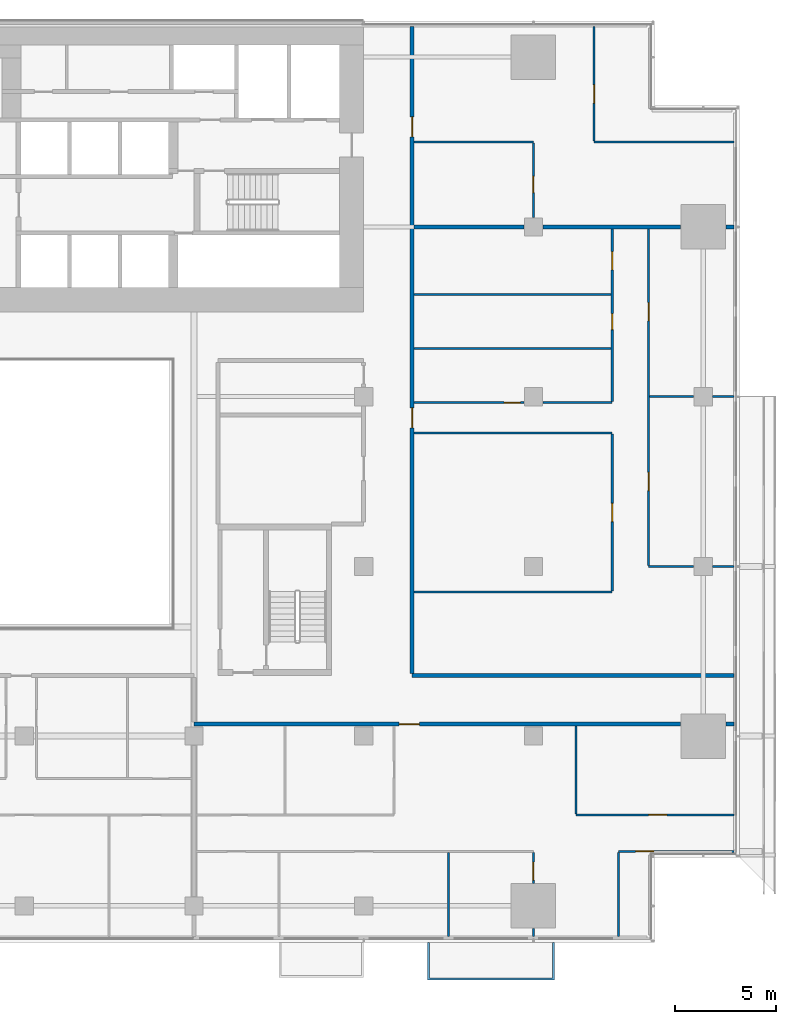
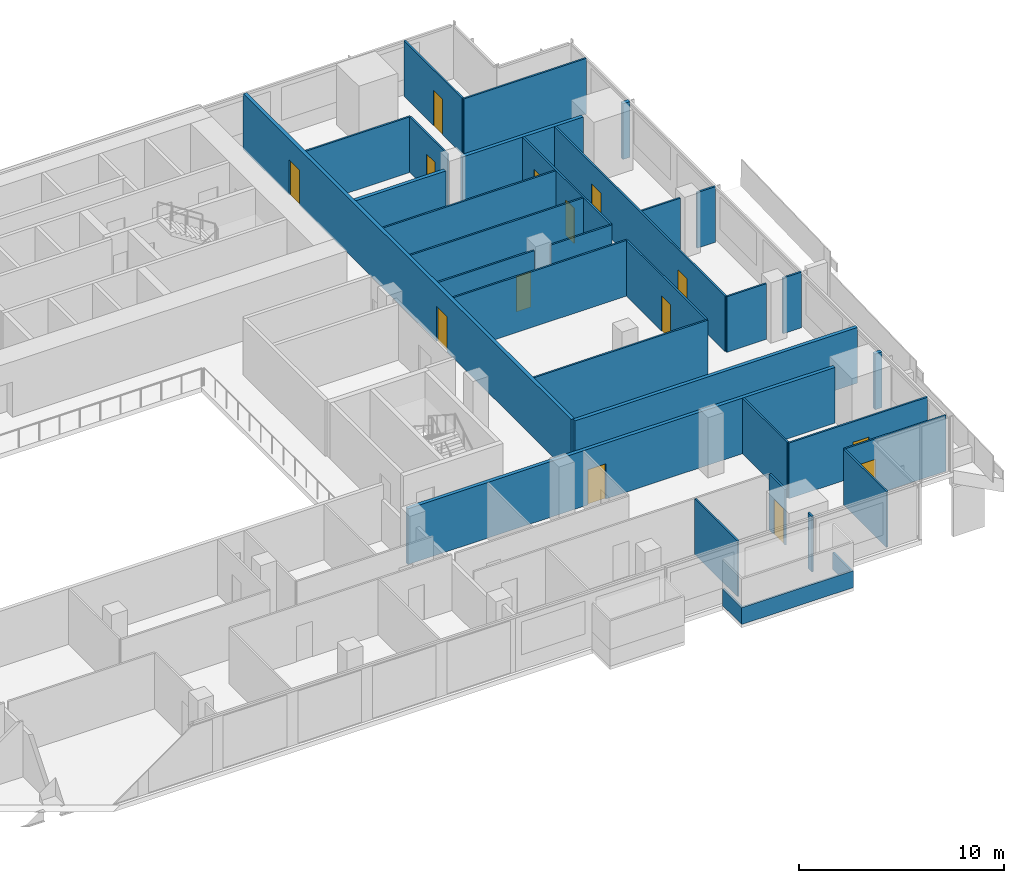
# One storey, part 24 of 28: 32 walls, 14 doors, 14 openings.
"""IFC4 building model written with IfcOpenShell, lengths in metres."""

from ifc_helpers import new_model, si_unit, direction, frame, frame_2d, origin, place, context, subcontext, project, spatial, polyline, rectangle, outline, extrude, material, layer, layer_set, type_object, element, fill, save


model = new_model("IFC4")

# Units and contexts
model_context = context("Model", 3, precision=1e-05, world=origin(), true_north=direction((0.0, 1.0)))
body_context = subcontext(model_context, "Body", "Model", "MODEL_VIEW")
ifc_project = project(units=[si_unit("LENGTHUNIT", "METRE"), si_unit("AREAUNIT", "SQUARE_METRE"), si_unit("VOLUMEUNIT", "CUBIC_METRE"), si_unit("PLANEANGLEUNIT", "RADIAN"), si_unit("MASSUNIT", "GRAM", prefix="KILO")], contexts=[model_context])

# Site, building, storey
site_placement = place(None, origin())
site = spatial("IfcSite", under=ifc_project, at=site_placement, CompositionType="ELEMENT")
building_placement = place(site_placement, origin())
building = spatial("IfcBuilding", under=site, at=building_placement, Name="Saffron Gate Tower", CompositionType="ELEMENT")
storey_placement = place(building_placement, frame((0.0, 0.0, 51.60009765625)))
storey = spatial("IfcBuildingStorey", under=building, at=storey_placement, Name="L11", CompositionType="ELEMENT", Elevation=51.60009765625)

# Wall, opening, door
ifc_material_1 = material(Name="Plasterboard on steel studs", Category="steel")
ifc_layer_1 = layer(ifc_material_1, 0.10009765625)
ifc_layer_set_1 = layer_set([ifc_layer_1], Name="PW1 Partition 100")
wall_type_1 = type_object("IfcWallType", Name="PW1 Partition 100", PredefinedType="PARTITIONING", material=ifc_layer_set_1)
wall_1_placement = place(storey_placement, frame((126.919921875, 34.5, 0.0), z_axis=(0.0, 0.0, 1.0), x_axis=(-1.0, 0.0, 0.0)))
wall_1 = element("IfcWall", 1, at=wall_1_placement, inside=storey, type_object=wall_type_1, Name="Partition A2-4", PredefinedType="PARTITIONING", context=body_context, shape_type="SweptSolid", body=[
    extrude(rectangle(XDim=5.719970703125, YDim=0.10009765625, at=frame_2d((2.85986328125, 0.0))), origin(), (0.0, 0.0, 1.0), 3.31982421875),
])
opening_1_placement = place(wall_1_placement, frame((3.96630859375, 0.0, 0.0)))
opening_1 = element("IfcOpeningElement", 2, at=opening_1_placement, cuts=wall_1, Name="Opening A2-19", PredefinedType="OPENING", context=body_context, shape_type="SweptSolid", body=[
    extrude(rectangle(XDim=0.89990234375, YDim=2.10009765625, at=frame_2d((0.449951171875, 1.050048828125))), frame((0.0, 0.06005859375, 0.0), z_axis=(0.0, -1.0, 0.0), x_axis=(1.0, 0.0, 0.0)), (0.0, 0.0, 1.0), 0.1201171875),
])
ifc_material_2 = material(Name="Timber door set", Category="wood")
door_type_1 = type_object("IfcDoorType", Name="RD1 Room door 900x2100", OperationType="NOTDEFINED", PredefinedType="DOOR", material=ifc_material_2)
door_1_placement = place(opening_1_placement, origin())
door_1 = element("IfcDoor", 3, at=door_1_placement, inside=storey, type_object=door_type_1, Name="Door A2-19", OperationType="SINGLE_SWING_RIGHT", OverallHeight=2.10009765625, OverallWidth=0.89990234375, PredefinedType="DOOR", context=body_context, shape_type="SweptSolid", body=[
    extrude(rectangle(XDim=0.89990234375, YDim=2.10009765625, at=frame_2d((0.449951171875, 1.050048828125))), frame((0.0, 0.02490234375, 0.0), z_axis=(0.0, -1.0, 0.0), x_axis=(1.0, 0.0, 0.0)), (0.0, 0.0, 1.0), 0.050048828125),
])
fill(opening_1, door_1)

wall_2_placement = place(storey_placement, frame((119.10009765625, 36.300048828125, 0.0), z_axis=(0.0, 0.0, 1.0), x_axis=(1.0, 0.0, 0.0)))
wall_2 = element("IfcWall", 4, at=wall_2_placement, inside=storey, type_object=wall_type_1, Name="Partition A2-6", PredefinedType="PARTITIONING", context=body_context, shape_type="SweptSolid", body=[
    extrude(rectangle(XDim=7.81982421875, YDim=0.10009765625, at=frame_2d((3.909912109375, 0.0))), origin(), (0.0, 0.0, 1.0), 3.31982421875),
])
opening_2_placement = place(wall_2_placement, frame((3.60009765625, 0.0, 0.0)))
opening_2 = element("IfcOpeningElement", 5, at=opening_2_placement, cuts=wall_2, Name="Opening A2-20", PredefinedType="OPENING", context=body_context, shape_type="SweptSolid", body=[
    extrude(rectangle(XDim=0.89990234375, YDim=2.10009765625, at=frame_2d((0.449951171875, 1.050048828125))), frame((0.0, 0.06005859375, 0.0), z_axis=(0.0, -1.0, 0.0), x_axis=(1.0, 0.0, 0.0)), (0.0, 0.0, 1.0), 0.1201171875),
])
door_2_placement = place(opening_2_placement, origin())
door_2 = element("IfcDoor", 6, at=door_2_placement, inside=storey, type_object=door_type_1, Name="Door A2-20", OperationType="SINGLE_SWING_RIGHT", OverallHeight=2.10009765625, OverallWidth=0.89990234375, PredefinedType="DOOR", context=body_context, shape_type="SweptSolid", body=[
    extrude(rectangle(XDim=0.89990234375, YDim=2.10009765625, at=frame_2d((0.449951171875, 1.050048828125))), frame((0.0, 0.02490234375, 0.0), z_axis=(0.0, -1.0, 0.0), x_axis=(1.0, 0.0, 0.0)), (0.0, 0.0, 1.0), 0.050048828125),
])
fill(opening_2, door_2)

# Walls
wall_3_placement = place(storey_placement, frame((111.10009765625, 47.34130859375, 0.0), z_axis=(0.0, 0.0, 1.0), x_axis=(1.0, 0.0, 0.0)))
element("IfcWall", 7, at=wall_3_placement, inside=storey, type_object=wall_type_1, Name="Partition A2-16", PredefinedType="PARTITIONING", context=body_context, shape_type="SweptSolid", body=[
    extrude(rectangle(XDim=9.7998046875, YDim=0.10009765625, at=frame_2d((4.89990234375, 0.0))), origin(), (0.0, 0.0, 1.0), 3.31982421875),
])
wall_4_placement = place(storey_placement, frame((122.699951171875, 48.60009765625, 0.0), z_axis=(0.0, 0.0, 1.0), x_axis=(1.0, 0.0, 0.0)))
element("IfcWall", 8, at=wall_4_placement, inside=storey, type_object=wall_type_1, Name="Partition A2-19", PredefinedType="PARTITIONING", context=body_context, shape_type="SweptSolid", body=[
    extrude(rectangle(XDim=2.22998046875, YDim=0.10009765625, at=frame_2d((1.114990234375, 0.0))), origin(), (0.0, 0.0, 1.0), 3.31982421875),
])
wall_5_placement = place(storey_placement, frame((125.8701171875, 48.60009765625, 0.0), z_axis=(0.0, 0.0, 1.0), x_axis=(1.0, 0.0, 0.0)))
element("IfcWall", 9, at=wall_5_placement, inside=storey, type_object=wall_type_1, Name="Partition A2-20", PredefinedType="PARTITIONING", context=body_context, shape_type="SweptSolid", body=[
    extrude(rectangle(XDim=1.0498046875, YDim=0.10009765625, at=frame_2d((0.52490234375, 0.0))), origin(), (0.0, 0.0, 1.0), 3.31982421875),
])
wall_6_placement = place(storey_placement, frame((111.10009765625, 55.199951171875, 0.0), z_axis=(0.0, 0.0, 1.0), x_axis=(1.0, 0.0, 0.0)))
element("IfcWall", 10, at=wall_6_placement, inside=storey, type_object=wall_type_1, Name="Partition A2-27", PredefinedType="PARTITIONING", context=body_context, shape_type="SweptSolid", body=[
    extrude(rectangle(XDim=9.7998046875, YDim=0.10009765625, at=frame_2d((4.89990234375, 0.0))), origin(), (0.0, 0.0, 1.0), 3.31982421875),
])

# Wall, opening, door
wall_7_placement = place(storey_placement, frame((111.10009765625, 56.699951171875, 0.0), z_axis=(0.0, 0.0, 1.0), x_axis=(1.0, 0.0, 0.0)))
wall_7 = element("IfcWall", 11, at=wall_7_placement, inside=storey, type_object=wall_type_1, Name="Partition A2-30", PredefinedType="PARTITIONING", context=body_context, shape_type="SweptSolid", body=[
    extrude(rectangle(XDim=5.429931640625, YDim=0.10009765625, at=frame_2d((2.71484375, 0.0))), origin(), (0.0, 0.0, 1.0), 3.31982421875),
])
opening_3_placement = place(wall_7_placement, frame((4.449951171875, 0.0, 0.0)))
opening_3 = element("IfcOpeningElement", 12, at=opening_3_placement, cuts=wall_7, Name="Opening A2-42", PredefinedType="OPENING", context=body_context, shape_type="SweptSolid", body=[
    extrude(rectangle(XDim=0.800048828125, YDim=2.10009765625, at=frame_2d((0.39990234375, 1.050048828125))), frame((0.0, 0.06005859375, 0.0), z_axis=(0.0, -1.0, 0.0), x_axis=(1.0, 0.0, 0.0)), (0.0, 0.0, 1.0), 0.1201171875),
])
door_type_2 = type_object("IfcDoorType", Name="RD2 Bathroom door 800x2100", OperationType="NOTDEFINED", PredefinedType="DOOR", material=ifc_material_2)
door_3_placement = place(opening_3_placement, origin())
door_3 = element("IfcDoor", 13, at=door_3_placement, inside=storey, type_object=door_type_2, Name="Door A2-42", OperationType="SINGLE_SWING_RIGHT", OverallHeight=2.10009765625, OverallWidth=0.800048828125, PredefinedType="DOOR", context=body_context, shape_type="SweptSolid", body=[
    extrude(rectangle(XDim=0.800048828125, YDim=2.10009765625, at=frame_2d((0.39990234375, 1.050048828125))), frame((0.0, 0.02490234375, 0.0), z_axis=(0.0, -1.0, 0.0), x_axis=(1.0, 0.0, 0.0)), (0.0, 0.0, 1.0), 0.050048828125),
])
fill(opening_3, door_3)

# Walls
wall_8_placement = place(storey_placement, frame((117.469970703125, 56.699951171875, 0.0), z_axis=(0.0, 0.0, 1.0), x_axis=(1.0, 0.0, 0.0)))
element("IfcWall", 14, at=wall_8_placement, inside=storey, type_object=wall_type_1, Name="Partition A2-31", PredefinedType="PARTITIONING", context=body_context, shape_type="SweptSolid", body=[
    extrude(rectangle(XDim=3.429931640625, YDim=0.10009765625, at=frame_2d((1.71484375, 0.0))), origin(), (0.0, 0.0, 1.0), 3.31982421875),
])
wall_9_placement = place(storey_placement, frame((122.75, 57.0, 0.0), z_axis=(0.0, 0.0, 1.0), x_axis=(1.0, 0.0, 0.0)))
element("IfcWall", 15, at=wall_9_placement, inside=storey, type_object=wall_type_1, Name="Partition A2-35", PredefinedType="PARTITIONING", context=body_context, shape_type="SweptSolid", body=[
    extrude(rectangle(XDim=2.179931640625, YDim=0.10009765625, at=frame_2d((1.08984375, 0.0))), origin(), (0.0, 0.0, 1.0), 3.31982421875),
])
wall_10_placement = place(storey_placement, frame((125.8701171875, 57.0, 0.0), z_axis=(0.0, 0.0, 1.0), x_axis=(1.0, 0.0, 0.0)))
element("IfcWall", 16, at=wall_10_placement, inside=storey, type_object=wall_type_1, Name="Partition A2-36", PredefinedType="PARTITIONING", context=body_context, shape_type="SweptSolid", body=[
    extrude(rectangle(XDim=1.0498046875, YDim=0.10009765625, at=frame_2d((0.52490234375, 0.0))), origin(), (0.0, 0.0, 1.0), 3.31982421875),
])
for number, where, z_axis, x_axis, name in (
    (17, (111.10009765625, 59.376708984375, 0.0), (0.0, 0.0, 1.0), (1.0, 0.0, 0.0), "Partition A2-39"),
    (18, (111.10009765625, 62.053466796875, 0.0), (0.0, 0.0, 1.0), (1.0, 0.0, 0.0), "Partition A2-41"),
):
    element("IfcWall", number, at=place(storey_placement, frame(where, z_axis=z_axis, x_axis=x_axis)), inside=storey, type_object=wall_type_1, Name=name, PredefinedType="PARTITIONING", context=body_context, shape_type="SweptSolid", body=[
        extrude(rectangle(XDim=9.75, YDim=0.10009765625, at=frame_2d((4.875, 0.0))), origin(), (0.0, 0.0, 1.0), 3.31982421875),
    ])
wall_11_placement = place(storey_placement, frame((111.10009765625, 69.60009765625, 0.0), z_axis=(0.0, 0.0, 1.0), x_axis=(1.0, 0.0, 0.0)))
element("IfcWall", 19, at=wall_11_placement, inside=storey, type_object=wall_type_1, Name="Partition A2-49", PredefinedType="PARTITIONING", context=body_context, shape_type="SweptSolid", body=[
    extrude(rectangle(XDim=5.89990234375, YDim=0.10009765625, at=frame_2d((2.949951171875, 0.0))), origin(), (0.0, 0.0, 1.0), 3.31982421875),
])
wall_12_placement = place(storey_placement, frame((120.0, 69.60009765625, 0.0), z_axis=(0.0, 0.0, 1.0), x_axis=(1.0, 0.0, 0.0)))
element("IfcWall", 20, at=wall_12_placement, inside=storey, type_object=wall_type_1, Name="Partition A2-50", PredefinedType="PARTITIONING", context=body_context, shape_type="SweptSolid", body=[
    extrude(rectangle(XDim=6.919921875, YDim=0.10009765625, at=frame_2d((3.4599609375, 0.0))), origin(), (0.0, 0.0, 1.0), 3.31982421875),
])
wall_13_placement = place(storey_placement, frame((112.800048828125, 34.449951171875, 0.0), z_axis=(0.0, 0.0, 1.0), x_axis=(0.0, -1.0, 0.0)))
element("IfcWall", 21, at=wall_13_placement, inside=storey, type_object=wall_type_1, Name="Partition A2-89", PredefinedType="PARTITIONING", context=body_context, shape_type="SweptSolid", body=[
    extrude(rectangle(XDim=4.169921875, YDim=0.10009765625, at=frame_2d((2.0849609375, 0.0))), origin(), (0.0, 0.0, 1.0), 3.31982421875),
])
wall_14_placement = place(storey_placement, frame((117.0, 30.679931640625, 0.0), z_axis=(0.0, 0.0, 1.0), x_axis=(0.0, -1.0, 0.0)))
element("IfcWall", 22, at=wall_14_placement, inside=storey, type_object=wall_type_1, Name="Partition A2-90", PredefinedType="PARTITIONING", context=body_context, shape_type="SweptSolid", body=[
    extrude(rectangle(XDim=0.39990234375, YDim=0.10009765625, at=frame_2d((0.199951171875, 0.0))), origin(), (0.0, 0.0, 1.0), 3.31982421875),
])

# Wall, opening, door
wall_15_placement = place(storey_placement, frame((117.0, 32.919921875, 0.0), z_axis=(0.0, 0.0, 1.0), x_axis=(0.0, 1.0, 0.0)))
wall_15 = element("IfcWall", 23, at=wall_15_placement, inside=storey, type_object=wall_type_1, Name="Partition A2-91", PredefinedType="PARTITIONING", context=body_context, shape_type="SweptSolid", body=[
    extrude(rectangle(XDim=1.530029296875, YDim=0.10009765625, at=frame_2d((0.76513671875, 0.0))), origin(), (0.0, 0.0, 1.0), 3.31982421875),
])
opening_4_placement = place(wall_15_placement, frame((0.14990234375, 0.0, 0.0)))
opening_4 = element("IfcOpeningElement", 24, at=opening_4_placement, cuts=wall_15, Name="Opening A2-18", PredefinedType="OPENING", context=body_context, shape_type="SweptSolid", body=[
    extrude(rectangle(XDim=0.89990234375, YDim=2.10009765625, at=frame_2d((0.449951171875, 1.050048828125))), frame((0.0, 0.06005859375, 0.0), z_axis=(0.0, -1.0, 0.0), x_axis=(1.0, 0.0, 0.0)), (0.0, 0.0, 1.0), 0.1201171875),
])
door_4_placement = place(opening_4_placement, origin())
door_4 = element("IfcDoor", 25, at=door_4_placement, inside=storey, type_object=door_type_1, Name="Door A2-18", OperationType="SINGLE_SWING_LEFT", OverallHeight=2.10009765625, OverallWidth=0.89990234375, PredefinedType="DOOR", context=body_context, shape_type="SweptSolid", body=[
    extrude(rectangle(XDim=0.89990234375, YDim=2.10009765625, at=frame_2d((0.449951171875, 1.050048828125))), frame((0.0, 0.02490234375, 0.0), z_axis=(0.0, -1.0, 0.0), x_axis=(1.0, 0.0, 0.0)), (0.0, 0.0, 1.0), 0.050048828125),
])
fill(opening_4, door_4)

wall_16_placement = place(storey_placement, frame((117.0, 65.8701171875, 0.0), z_axis=(0.0, 0.0, 1.0), x_axis=(0.0, 1.0, 0.0)))
wall_16 = element("IfcWall", 26, at=wall_16_placement, inside=storey, type_object=wall_type_1, Name="Partition A2-92", PredefinedType="PARTITIONING", context=body_context, shape_type="SweptSolid", body=[
    extrude(rectangle(XDim=3.679931640625, YDim=0.10009765625, at=frame_2d((1.83984375, 0.0))), origin(), (0.0, 0.0, 1.0), 3.31982421875),
])
opening_5_placement = place(wall_16_placement, frame((1.22998046875, 0.0, 0.0)))
opening_5 = element("IfcOpeningElement", 27, at=opening_5_placement, cuts=wall_16, Name="Opening A2-44", PredefinedType="OPENING", context=body_context, shape_type="SweptSolid", body=[
    extrude(rectangle(XDim=0.800048828125, YDim=2.10009765625, at=frame_2d((0.39990234375, 1.050048828125))), frame((0.0, 0.06005859375, 0.0), z_axis=(0.0, -1.0, 0.0), x_axis=(1.0, 0.0, 0.0)), (0.0, 0.0, 1.0), 0.1201171875),
])
door_5_placement = place(opening_5_placement, origin())
door_5 = element("IfcDoor", 28, at=door_5_placement, inside=storey, type_object=door_type_2, Name="Door A2-44", OperationType="SINGLE_SWING_LEFT", OverallHeight=2.10009765625, OverallWidth=0.800048828125, PredefinedType="DOOR", context=body_context, shape_type="SweptSolid", body=[
    extrude(rectangle(XDim=0.800048828125, YDim=2.10009765625, at=frame_2d((0.39990234375, 1.050048828125))), frame((0.0, 0.02490234375, 0.0), z_axis=(0.0, -1.0, 0.0), x_axis=(1.0, 0.0, 0.0)), (0.0, 0.0, 1.0), 0.050048828125),
])
fill(opening_5, door_5)

# Wall
wall_17_placement = place(storey_placement, frame((119.10009765625, 40.699951171875, 0.0), z_axis=(0.0, 0.0, 1.0), x_axis=(0.0, -1.0, 0.0)))
element("IfcWall", 29, at=wall_17_placement, inside=storey, type_object=wall_type_1, Name="Partition A2-93", PredefinedType="PARTITIONING", context=body_context, shape_type="SweptSolid", body=[
    extrude(rectangle(XDim=4.349853515625, YDim=0.10009765625, at=frame_2d((2.1748046875, 0.0))), origin(), (0.0, 0.0, 1.0), 3.31982421875),
])

# Wall, opening, door
wall_18_placement = place(storey_placement, frame((120.0, 75.320068359375, 0.0), z_axis=(0.0, 0.0, 1.0), x_axis=(0.0, -1.0, 0.0)))
wall_18 = element("IfcWall", 30, at=wall_18_placement, inside=storey, type_object=wall_type_1, Name="Partition A2-94", PredefinedType="PARTITIONING", context=body_context, shape_type="SweptSolid", body=[
    extrude(rectangle(XDim=5.670166015625, YDim=0.10009765625, at=frame_2d((2.8349609375, 0.0))), origin(), (0.0, 0.0, 1.0), 3.31982421875),
])
opening_6_placement = place(wall_18_placement, frame((2.89111328125, 0.0, 0.0)))
opening_6 = element("IfcOpeningElement", 31, at=opening_6_placement, cuts=wall_18, Name="Opening A2-31", PredefinedType="OPENING", context=body_context, shape_type="SweptSolid", body=[
    extrude(rectangle(XDim=0.89990234375, YDim=2.10009765625, at=frame_2d((0.449951171875, 1.050048828125))), frame((0.0, 0.06005859375, 0.0), z_axis=(0.0, -1.0, 0.0), x_axis=(1.0, 0.0, 0.0)), (0.0, 0.0, 1.0), 0.1201171875),
])
door_6_placement = place(opening_6_placement, origin())
door_6 = element("IfcDoor", 32, at=door_6_placement, inside=storey, type_object=door_type_1, Name="Door A2-31", OperationType="SINGLE_SWING_RIGHT", OverallHeight=2.10009765625, OverallWidth=0.89990234375, PredefinedType="DOOR", context=body_context, shape_type="SweptSolid", body=[
    extrude(rectangle(XDim=0.89990234375, YDim=2.10009765625, at=frame_2d((0.449951171875, 1.050048828125))), frame((0.0, 0.02490234375, 0.0), z_axis=(0.0, -1.0, 0.0), x_axis=(1.0, 0.0, 0.0)), (0.0, 0.0, 1.0), 0.050048828125),
])
fill(opening_6, door_6)

wall_19_placement = place(storey_placement, frame((120.89990234375, 47.391357421875, 0.0), z_axis=(0.0, 0.0, 1.0), x_axis=(0.0, 1.0, 0.0)))
wall_19 = element("IfcWall", 33, at=wall_19_placement, inside=storey, type_object=wall_type_1, Name="Partition A2-95", PredefinedType="PARTITIONING", context=body_context, shape_type="SweptSolid", body=[
    extrude(rectangle(XDim=7.758544921875, YDim=0.10009765625, at=frame_2d((3.87939453125, 0.0))), origin(), (0.0, 0.0, 1.0), 3.31982421875),
])
opening_7_placement = place(wall_19_placement, frame((3.42919921875, 0.0, 0.0)))
opening_7 = element("IfcOpeningElement", 34, at=opening_7_placement, cuts=wall_19, Name="Opening A2-29", PredefinedType="OPENING", context=body_context, shape_type="SweptSolid", body=[
    extrude(rectangle(XDim=0.89990234375, YDim=2.10009765625, at=frame_2d((0.449951171875, 1.050048828125))), frame((0.0, 0.06005859375, 0.0), z_axis=(0.0, -1.0, 0.0), x_axis=(1.0, 0.0, 0.0)), (0.0, 0.0, 1.0), 0.1201171875),
])
door_7_placement = place(opening_7_placement, origin())
door_7 = element("IfcDoor", 35, at=door_7_placement, inside=storey, type_object=door_type_1, Name="Door A2-29", OperationType="SINGLE_SWING_LEFT", OverallHeight=2.10009765625, OverallWidth=0.89990234375, PredefinedType="DOOR", context=body_context, shape_type="SweptSolid", body=[
    extrude(rectangle(XDim=0.89990234375, YDim=2.10009765625, at=frame_2d((0.449951171875, 1.050048828125))), frame((0.0, 0.02490234375, 0.0), z_axis=(0.0, -1.0, 0.0), x_axis=(1.0, 0.0, 0.0)), (0.0, 0.0, 1.0), 0.050048828125),
])
fill(opening_7, door_7)

# Wall, openings, doors
wall_20_placement = place(storey_placement, frame((120.89990234375, 56.75, 0.0), z_axis=(0.0, 0.0, 1.0), x_axis=(0.0, 1.0, 0.0)))
wall_20 = element("IfcWall", 36, at=wall_20_placement, inside=storey, type_object=wall_type_1, Name="Partition A2-96", PredefinedType="PARTITIONING", context=body_context, shape_type="SweptSolid", body=[
    extrude(rectangle(XDim=8.550048828125, YDim=0.10009765625, at=frame_2d((4.27490234375, 0.0))), origin(), (0.0, 0.0, 1.0), 3.31982421875),
])
opening_8_placement = place(wall_20_placement, frame((3.565185546875, 0.0, 0.0)))
opening_8 = element("IfcOpeningElement", 37, at=opening_8_placement, cuts=wall_20, Name="Opening A2-43", PredefinedType="OPENING", context=body_context, shape_type="SweptSolid", body=[
    extrude(rectangle(XDim=0.800048828125, YDim=2.10009765625, at=frame_2d((0.39990234375, 1.050048828125))), frame((0.0, 0.06005859375, 0.0), z_axis=(0.0, -1.0, 0.0), x_axis=(1.0, 0.0, 0.0)), (0.0, 0.0, 1.0), 0.1201171875),
])
opening_9_placement = place(wall_20_placement, frame((6.526611328125, 0.0, 0.0)))
opening_9 = element("IfcOpeningElement", 38, at=opening_9_placement, cuts=wall_20, Name="Opening A2-30", PredefinedType="OPENING", context=body_context, shape_type="SweptSolid", body=[
    extrude(rectangle(XDim=0.89990234375, YDim=2.10009765625, at=frame_2d((0.449951171875, 1.050048828125))), frame((0.0, 0.06005859375, 0.0), z_axis=(0.0, -1.0, 0.0), x_axis=(1.0, 0.0, 0.0)), (0.0, 0.0, 1.0), 0.1201171875),
])
door_8_placement = place(opening_9_placement, origin())
door_8 = element("IfcDoor", 39, at=door_8_placement, inside=storey, type_object=door_type_1, Name="Door A2-30", OperationType="SINGLE_SWING_RIGHT", OverallHeight=2.10009765625, OverallWidth=0.89990234375, PredefinedType="DOOR", context=body_context, shape_type="SweptSolid", body=[
    extrude(rectangle(XDim=0.89990234375, YDim=2.10009765625, at=frame_2d((0.449951171875, 1.050048828125))), frame((0.0, 0.02490234375, 0.0), z_axis=(0.0, -1.0, 0.0), x_axis=(1.0, 0.0, 0.0)), (0.0, 0.0, 1.0), 0.050048828125),
])
fill(opening_9, door_8)
door_9_placement = place(opening_8_placement, origin())
door_9 = element("IfcDoor", 40, at=door_9_placement, inside=storey, type_object=door_type_2, Name="Door A2-43", OperationType="SINGLE_SWING_RIGHT", OverallHeight=2.10009765625, OverallWidth=0.800048828125, PredefinedType="DOOR", context=body_context, shape_type="SweptSolid", body=[
    extrude(rectangle(XDim=0.800048828125, YDim=2.10009765625, at=frame_2d((0.39990234375, 1.050048828125))), frame((0.0, 0.02490234375, 0.0), z_axis=(0.0, -1.0, 0.0), x_axis=(1.0, 0.0, 0.0)), (0.0, 0.0, 1.0), 0.050048828125),
])
fill(opening_8, door_9)

# Wall
wall_21_placement = place(storey_placement, frame((121.199951171875, 34.449951171875, 0.0), z_axis=(0.0, 0.0, 1.0), x_axis=(0.0, -1.0, 0.0)))
element("IfcWall", 41, at=wall_21_placement, inside=storey, type_object=wall_type_1, Name="Partition A2-97", PredefinedType="PARTITIONING", context=body_context, shape_type="SweptSolid", body=[
    extrude(rectangle(XDim=4.169921875, YDim=0.10009765625, at=frame_2d((2.0849609375, 0.0))), origin(), (0.0, 0.0, 1.0), 3.31982421875),
])

# Wall, openings, doors
wall_22_placement = place(storey_placement, frame((122.699951171875, 65.300048828125, 0.0), z_axis=(0.0, 0.0, 1.0), x_axis=(0.0, -1.0, 0.0)))
wall_22 = element("IfcWall", 42, at=wall_22_placement, inside=storey, type_object=wall_type_1, Name="Partition A2-98", PredefinedType="PARTITIONING", context=body_context, shape_type="SweptSolid", body=[
    extrude(rectangle(XDim=16.650146484375, YDim=0.10009765625, at=frame_2d((8.3251953125, 0.0))), origin(), (0.0, 0.0, 1.0), 3.31982421875),
])
opening_10_placement = place(wall_22_placement, frame((3.64990234375, 0.0, 0.0)))
opening_10 = element("IfcOpeningElement", 43, at=opening_10_placement, cuts=wall_22, Name="Opening A2-28", PredefinedType="OPENING", context=body_context, shape_type="SweptSolid", body=[
    extrude(rectangle(XDim=0.89990234375, YDim=2.10009765625, at=frame_2d((0.449951171875, 1.050048828125))), frame((0.0, 0.06005859375, 0.0), z_axis=(0.0, -1.0, 0.0), x_axis=(1.0, 0.0, 0.0)), (0.0, 0.0, 1.0), 0.1201171875),
])
opening_11_placement = place(wall_22_placement, frame((12.050048828125, 0.0, 0.0)))
opening_11 = element("IfcOpeningElement", 44, at=opening_11_placement, cuts=wall_22, Name="Opening A2-27", PredefinedType="OPENING", context=body_context, shape_type="SweptSolid", body=[
    extrude(rectangle(XDim=0.89990234375, YDim=2.10009765625, at=frame_2d((0.449951171875, 1.050048828125))), frame((0.0, 0.06005859375, 0.0), z_axis=(0.0, -1.0, 0.0), x_axis=(1.0, 0.0, 0.0)), (0.0, 0.0, 1.0), 0.1201171875),
])
door_10_placement = place(opening_10_placement, origin())
door_10 = element("IfcDoor", 45, at=door_10_placement, inside=storey, type_object=door_type_1, Name="Door A2-28", OperationType="SINGLE_SWING_LEFT", OverallHeight=2.10009765625, OverallWidth=0.89990234375, PredefinedType="DOOR", context=body_context, shape_type="SweptSolid", body=[
    extrude(rectangle(XDim=0.89990234375, YDim=2.10009765625, at=frame_2d((0.449951171875, 1.050048828125))), frame((0.0, 0.02490234375, 0.0), z_axis=(0.0, -1.0, 0.0), x_axis=(1.0, 0.0, 0.0)), (0.0, 0.0, 1.0), 0.050048828125),
])
fill(opening_10, door_10)
door_11_placement = place(opening_11_placement, origin())
door_11 = element("IfcDoor", 46, at=door_11_placement, inside=storey, type_object=door_type_1, Name="Door A2-27", OperationType="SINGLE_SWING_RIGHT", OverallHeight=2.10009765625, OverallWidth=0.89990234375, PredefinedType="DOOR", context=body_context, shape_type="SweptSolid", body=[
    extrude(rectangle(XDim=0.89990234375, YDim=2.10009765625, at=frame_2d((0.449951171875, 1.050048828125))), frame((0.0, 0.02490234375, 0.0), z_axis=(0.0, -1.0, 0.0), x_axis=(1.0, 0.0, 0.0)), (0.0, 0.0, 1.0), 0.050048828125),
])
fill(opening_11, door_11)

# Walls
ifc_material_3 = material(Name="Clay brick masonry, rendered", Category="masonry")
ifc_layer_2 = layer(ifc_material_3, 0.199951171875)
ifc_layer_set_2 = layer_set([ifc_layer_2], Name="PW2 Demising wall 200")
wall_type_2 = type_object("IfcWallType", Name="PW2 Demising wall 200", PredefinedType="PARTITIONING", material=ifc_layer_set_2)
wall_23_placement = place(storey_placement, frame((111.10009765625, 65.39990234375, 0.0), z_axis=(0.0, 0.0, 1.0), x_axis=(1.0, 0.0, 0.0)))
element("IfcWall", 47, at=wall_23_placement, inside=storey, type_object=wall_type_2, Name="Wall A2-43", PredefinedType="PARTITIONING", context=body_context, shape_type="SweptSolid", body=[
    extrude(rectangle(XDim=5.429931640625, YDim=0.199951171875, at=frame_2d((2.71484375, 0.0))), origin(), (0.0, 0.0, 1.0), 2.81982421875),
])
wall_24_placement = place(storey_placement, frame((117.469970703125, 65.39990234375, 0.0), z_axis=(0.0, 0.0, 1.0), x_axis=(1.0, 0.0, 0.0)))
element("IfcWall", 48, at=wall_24_placement, inside=storey, type_object=wall_type_2, Name="Wall A2-44", PredefinedType="PARTITIONING", context=body_context, shape_type="SweptSolid", body=[
    extrude(rectangle(XDim=6.81005859375, YDim=0.199951171875, at=frame_2d((3.405029296875, 0.0))), origin(), (0.0, 0.0, 1.0), 3.31982421875),
])
wall_25_placement = place(storey_placement, frame((126.52001953125, 65.39990234375, 0.0), z_axis=(0.0, 0.0, 1.0), x_axis=(1.0, 0.0, 0.0)))
element("IfcWall", 49, at=wall_25_placement, inside=storey, type_object=wall_type_2, Name="Wall A2-45", PredefinedType="PARTITIONING", context=body_context, shape_type="SweptSolid", body=[
    extrude(rectangle(XDim=0.39990234375, YDim=0.199951171875, at=frame_2d((0.199951171875, 0.0))), origin(), (0.0, 0.0, 1.0), 3.31982421875),
])

# Wall, opening, door
ifc_layer_3 = layer(ifc_material_3, 0.199951171875)
ifc_layer_set_3 = layer_set([ifc_layer_3], Name="PW3 Corridor wall 200")
wall_type_3 = type_object("IfcWallType", Name="PW3 Corridor wall 200", PredefinedType="PARTITIONING", material=ifc_layer_set_3)
wall_26_placement = place(storey_placement, frame((124.280029296875, 40.800048828125, 0.0), z_axis=(0.0, 0.0, 1.0), x_axis=(-1.0, 0.0, 0.0)))
wall_26 = element("IfcWall", 50, at=wall_26_placement, inside=storey, type_object=wall_type_3, Name="Wall A2-11", PredefinedType="PARTITIONING", context=body_context, shape_type="SweptSolid", body=[
    extrude(rectangle(XDim=24.080078125, YDim=0.199951171875, at=frame_2d((12.0400390625, 0.0))), origin(), (0.0, 0.0, 1.0), 3.31982421875),
])
opening_12_placement = place(wall_26_placement, frame((12.929931640625, 0.0, 0.0)))
opening_12 = element("IfcOpeningElement", 51, at=opening_12_placement, cuts=wall_26, Name="Opening A2-3", PredefinedType="OPENING", context=body_context, shape_type="SweptSolid", body=[
    extrude(rectangle(XDim=1.0, YDim=2.10009765625, at=frame_2d((0.5, 1.050048828125))), frame((0.0, 0.10986328125, 0.0), z_axis=(0.0, -1.0, 0.0), x_axis=(1.0, 0.0, 0.0)), (0.0, 0.0, 1.0), 0.219970703125),
])
ifc_material_4 = material(Name="Timber fire door set", Category="wood")
door_type_3 = type_object("IfcDoorType", Name="FD1 Flat entry door 1000x2100", OperationType="NOTDEFINED", PredefinedType="DOOR", material=ifc_material_4)
door_12_placement = place(opening_12_placement, origin())
door_12 = element("IfcDoor", 52, at=door_12_placement, inside=storey, type_object=door_type_3, Name="Door A2-3", OperationType="SINGLE_SWING_RIGHT", OverallHeight=2.10009765625, OverallWidth=1.0, PredefinedType="DOOR", context=body_context, shape_type="SweptSolid", body=[
    extrude(rectangle(XDim=1.0, YDim=2.10009765625, at=frame_2d((0.5, 1.050048828125))), frame((0.0, 0.02490234375, 0.0), z_axis=(0.0, -1.0, 0.0), x_axis=(1.0, 0.0, 0.0)), (0.0, 0.0, 1.0), 0.050048828125),
])
fill(opening_12, door_12)

# Walls
wall_27_placement = place(storey_placement, frame((126.52001953125, 40.800048828125, 0.0), z_axis=(0.0, 0.0, 1.0), x_axis=(1.0, 0.0, 0.0)))
element("IfcWall", 53, at=wall_27_placement, inside=storey, type_object=wall_type_3, Name="Wall A2-12", PredefinedType="PARTITIONING", context=body_context, shape_type="SweptSolid", body=[
    extrude(rectangle(XDim=0.39990234375, YDim=0.199951171875, at=frame_2d((0.199951171875, 0.0))), origin(), (0.0, 0.0, 1.0), 3.31982421875),
])
wall_28_placement = place(storey_placement, frame((111.0, 43.199951171875, 0.0), z_axis=(0.0, 0.0, 1.0), x_axis=(1.0, 0.0, 0.0)))
element("IfcWall", 54, at=wall_28_placement, inside=storey, type_object=wall_type_3, Name="Wall A2-15", PredefinedType="PARTITIONING", context=body_context, shape_type="SweptSolid", body=[
    extrude(rectangle(XDim=15.919921875, YDim=0.199951171875, at=frame_2d((7.9599609375, 0.0))), origin(), (0.0, 0.0, 1.0), 3.31982421875),
])

# Wall, openings, doors
wall_29_placement = place(storey_placement, frame((111.0, 75.320068359375, 0.0), z_axis=(0.0, 0.0, 1.0), x_axis=(0.0, -1.0, 0.0)))
wall_29 = element("IfcWall", 55, at=wall_29_placement, inside=storey, type_object=wall_type_3, Name="Wall A2-88", PredefinedType="PARTITIONING", context=body_context, shape_type="SweptSolid", body=[
    extrude(rectangle(XDim=32.02001953125, YDim=0.199951171875, at=frame_2d((16.010009765625, 0.0))), origin(), (0.0, 0.0, 1.0), 3.31982421875),
])
opening_13_placement = place(wall_29_placement, frame((4.469970703125, 0.0, 0.0)))
opening_13 = element("IfcOpeningElement", 56, at=opening_13_placement, cuts=wall_29, Name="Opening A2-7", PredefinedType="OPENING", context=body_context, shape_type="SweptSolid", body=[
    extrude(rectangle(XDim=1.0, YDim=2.10009765625, at=frame_2d((0.5, 1.050048828125))), frame((0.0, 0.10986328125, 0.0), z_axis=(0.0, -1.0, 0.0), x_axis=(1.0, 0.0, 0.0)), (0.0, 0.0, 1.0), 0.219970703125),
])
opening_14_placement = place(wall_29_placement, frame((18.8701171875, 0.0, 0.0)))
opening_14 = element("IfcOpeningElement", 57, at=opening_14_placement, cuts=wall_29, Name="Opening A2-6", PredefinedType="OPENING", context=body_context, shape_type="SweptSolid", body=[
    extrude(rectangle(XDim=1.0, YDim=2.10009765625, at=frame_2d((0.5, 1.050048828125))), frame((0.0, 0.10986328125, 0.0), z_axis=(0.0, -1.0, 0.0), x_axis=(1.0, 0.0, 0.0)), (0.0, 0.0, 1.0), 0.219970703125),
])
door_13_placement = place(opening_13_placement, origin())
door_13 = element("IfcDoor", 58, at=door_13_placement, inside=storey, type_object=door_type_3, Name="Door A2-7", OperationType="SINGLE_SWING_RIGHT", OverallHeight=2.10009765625, OverallWidth=1.0, PredefinedType="DOOR", context=body_context, shape_type="SweptSolid", body=[
    extrude(rectangle(XDim=1.0, YDim=2.10009765625, at=frame_2d((0.5, 1.050048828125))), frame((0.0, 0.02490234375, 0.0), z_axis=(0.0, -1.0, 0.0), x_axis=(1.0, 0.0, 0.0)), (0.0, 0.0, 1.0), 0.050048828125),
])
fill(opening_13, door_13)
door_14_placement = place(opening_14_placement, origin())
door_14 = element("IfcDoor", 59, at=door_14_placement, inside=storey, type_object=door_type_3, Name="Door A2-6", OperationType="SINGLE_SWING_LEFT", OverallHeight=2.10009765625, OverallWidth=1.0, PredefinedType="DOOR", context=body_context, shape_type="SweptSolid", body=[
    extrude(rectangle(XDim=1.0, YDim=2.10009765625, at=frame_2d((0.5, 1.050048828125))), frame((0.0, 0.02490234375, 0.0), z_axis=(0.0, -1.0, 0.0), x_axis=(1.0, 0.0, 0.0)), (0.0, 0.0, 1.0), 0.050048828125),
])
fill(opening_14, door_14)

# Wall
ifc_material_5 = material(Name="Rendered insulated panel, white")
ifc_layer_4 = layer(ifc_material_5, 0.10009765625)
ifc_layer_set_4 = layer_set([ifc_layer_4], Name="WB3 box parapet white")
wall_type_4 = type_object("IfcWallType", Name="WB3 box parapet white", PredefinedType="SOLIDWALL", material=ifc_layer_set_4)
wall_30_placement = place(storey_placement, origin())
element("IfcWall", 60, at=wall_30_placement, inside=storey, type_object=wall_type_4, Name="WINDOW BOX parapet", PredefinedType="SOLIDWALL", context=body_context, shape_type="SweptSolid", body=[
    extrude(outline(polyline([(111.75, 30.0), (111.85009765625, 30.0), (111.85009765625, 28.23291015625), (117.949951171875, 28.23291015625), (117.949951171875, 30.0), (118.050048828125, 30.0), (118.050048828125, 28.133056640625), (111.75, 28.133056640625), (111.75, 30.0)])), origin(), (0.0, 0.0, 1.0), 1.0),
])

save(model, "model.ifc")
